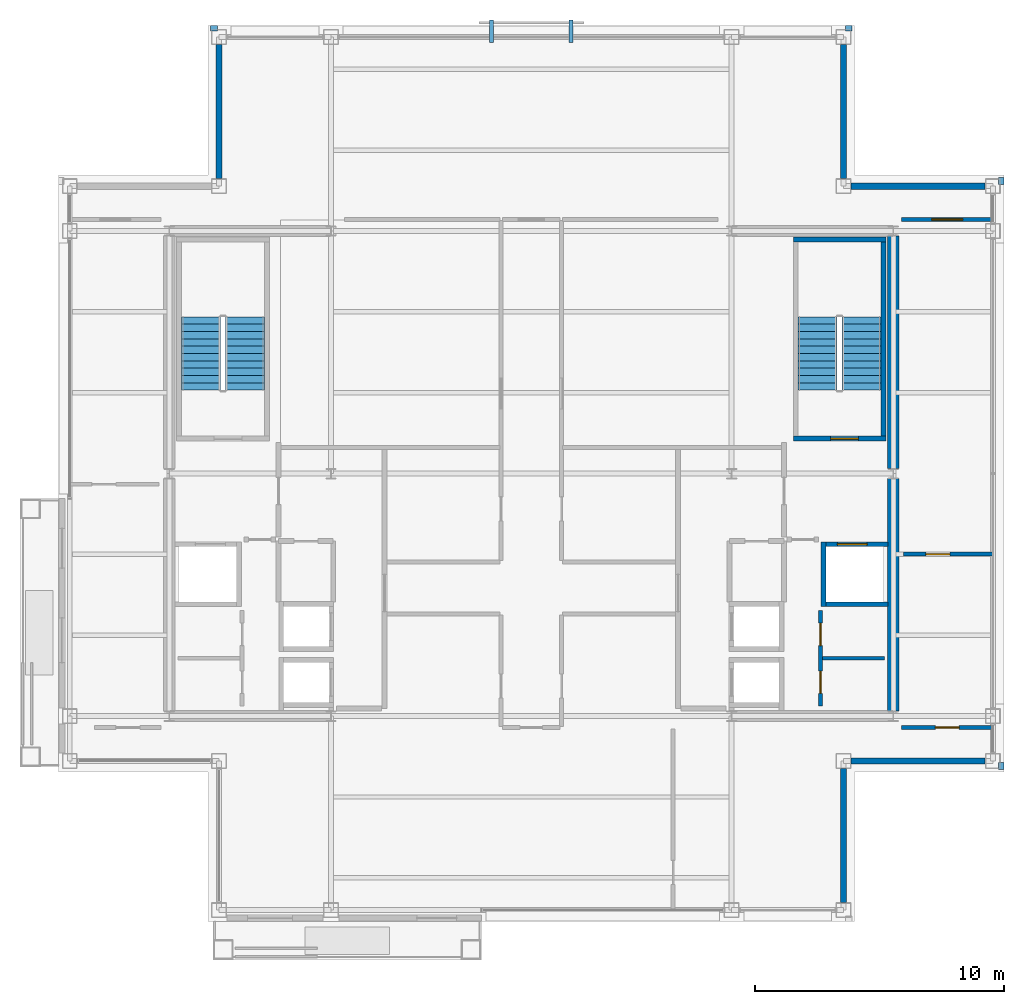
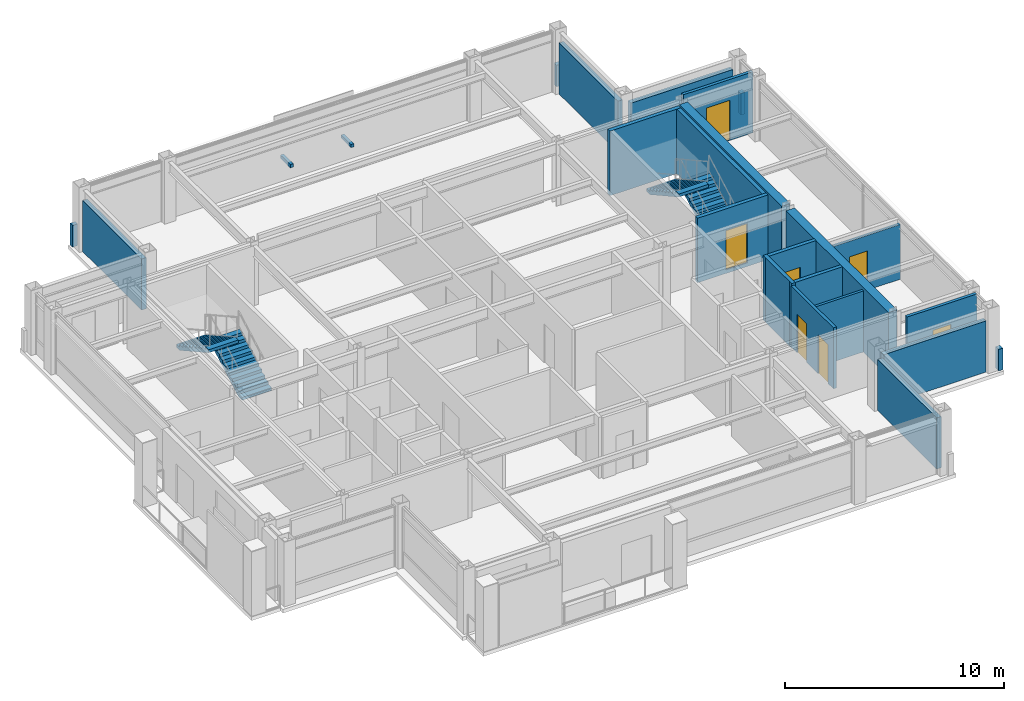
# One storey, part 22 of 24: 22 walls, 7 doors, 4 stair flights, 2 discrete accessories, 7 openings, 2 elements without a shape of their own.
"""IFC4 building model written with IfcOpenShell, lengths in metres."""

from ifc_helpers import new_model, si_unit, direction, frame, frame_2d, origin, origin_2d, place, context, subcontext, project, spatial, polyline, rectangle, outline, extrude, material, layer, layer_set, type_object, element, fill, aggregate, save


model = new_model("IFC4")

# Units and contexts
model_context = context("Model", 3, precision=1e-05, world=origin(), true_north=direction((0.0, 1.0)))
body_context = subcontext(model_context, "Body", "Model", "MODEL_VIEW")
ifc_project = project(units=[si_unit("LENGTHUNIT", "METRE"), si_unit("AREAUNIT", "SQUARE_METRE"), si_unit("VOLUMEUNIT", "CUBIC_METRE"), si_unit("PLANEANGLEUNIT", "RADIAN"), si_unit("MASSUNIT", "GRAM", prefix="KILO")], contexts=[model_context])

# Site, building, storey
site_placement = place(None, origin())
site = spatial("IfcSite", under=ifc_project, at=site_placement, CompositionType="ELEMENT")
building_placement = place(site_placement, origin())
building = spatial("IfcBuilding", under=site, at=building_placement, Name="Brelmoor Portico Tower", CompositionType="ELEMENT")
storey_placement = place(building_placement, frame((0.0, 0.0, 254.39990234375)))
storey = spatial("IfcBuildingStorey", under=building, at=storey_placement, Name="L67", CompositionType="ELEMENT", Elevation=254.39990234375)

# Walls
ifc_material_1 = material(Name="Concrete C50", Category="concrete")
ifc_layer_1 = layer(ifc_material_1, 0.449951171875)
ifc_layer_set_1 = layer_set([ifc_layer_1], Name="Concrete C50")
wall_type_1 = type_object("IfcWallType", Name="WL-CORE-450", PredefinedType="SHEAR", material=ifc_layer_set_1)
for number, where, z_axis, x_axis, name in (
    (1, (14.550048828125, -9.550048828125, -0.199951171875), (0.0, 0.0, 1.0), (0.0, 1.0, 0.0), "L67 EC Outer South Shear Wall"),
    (2, (14.550048828125, 0.199951171875, -0.199951171875), (0.0, 0.0, 1.0), (0.0, 1.0, 0.0), "L67 EC Outer North Shear Wall"),
):
    element("IfcWall", number, at=place(storey_placement, frame(where, z_axis=z_axis, x_axis=x_axis)), inside=storey, type_object=wall_type_1, Name=name, PredefinedType="SHEAR", context=body_context, shape_type="SweptSolid", body=[
        extrude(rectangle(XDim=9.35009765625, YDim=0.449951171875, at=frame_2d((4.675048828125, 0.0))), origin(), (0.0, 0.0, 1.0), 3.60009765625),
    ])
ifc_material_2 = material(Name="Precast Concrete C40 Insulated Facade Wall", Category="concrete")
ifc_layer_2 = layer(ifc_material_2, 0.25)
ifc_layer_set_2 = layer_set([ifc_layer_2], Name="Precast Concrete C40 Insulated Facade Wall")
wall_type_2 = type_object("IfcWallType", Name="WL-EXT-250", PredefinedType="STANDARD", material=ifc_layer_set_2)
for number, where, z_axis, x_axis, name in (
    (3, (12.860107421875, -11.550048828125, 0.0), (0.0, 0.0, 1.0), (1.0, 0.0, 0.0), "L67 Corner Notch Facade Wall NSEH1"),
    (4, (12.550048828125, -17.239990234375, 0.0), (0.0, 0.0, 1.0), (0.0, 1.0, 0.0), "L67 Corner Notch Facade Wall NSEV1"),
    (5, (-12.550048828125, 11.860107421875, 0.0), (0.0, 0.0, 1.0), (0.0, 1.0, 0.0), "L67 Corner Notch Facade Wall NNWV1"),
    (6, (12.860107421875, 11.550048828125, 0.0), (0.0, 0.0, 1.0), (1.0, 0.0, 0.0), "L67 Corner Notch Facade Wall NNEH1"),
    (7, (12.550048828125, 11.860107421875, 0.0), (0.0, 0.0, 1.0), (0.0, 1.0, 0.0), "L67 Corner Notch Facade Wall NNEV1"),
):
    element("IfcWall", number, at=place(storey_placement, frame(where, z_axis=z_axis, x_axis=x_axis)), inside=storey, type_object=wall_type_2, Name=name, PredefinedType="STANDARD", context=body_context, shape_type="SweptSolid", body=[
        extrude(rectangle(XDim=5.3798828125, YDim=0.25, at=frame_2d((2.68994140625, 0.0))), origin(), (0.0, 0.0, 1.0), 2.85009765625),
    ])
ifc_material_3 = material(Name="Concrete C40 Parapet Upstand", Category="concrete")
ifc_layer_3 = layer(ifc_material_3, 0.219970703125)
ifc_layer_set_3 = layer_set([ifc_layer_3], Name="Concrete C40 Parapet Upstand")
wall_type_3 = type_object("IfcWallType", Name="WL-PARAPET-220", PredefinedType="PARAPET", material=ifc_layer_set_3)
for number, where, z_axis, x_axis, name in (
    (8, (18.889892578125, -11.889892578125, 0.0), (0.0, 0.0, 1.0), (0.0, 1.0, 0.0), "L67 Chamfer Vertex Parapet Pier SE2"),
    (9, (-12.889892578125, 17.889892578125, 0.0), (0.0, 0.0, 1.0), (1.0, 0.0, 0.0), "L67 Chamfer Vertex Parapet Pier NW1"),
    (10, (12.6201171875, 17.889892578125, 0.0), (0.0, 0.0, 1.0), (1.0, 0.0, 0.0), "L67 Chamfer Vertex Parapet Pier NE1"),
    (11, (18.889892578125, 11.6201171875, 0.0), (0.0, 0.0, 1.0), (0.0, 1.0, 0.0), "L67 Chamfer Vertex Parapet Pier NE2"),
):
    element("IfcWall", number, at=place(storey_placement, frame(where, z_axis=z_axis, x_axis=x_axis)), inside=storey, type_object=wall_type_3, Name=name, PredefinedType="PARAPET", context=body_context, shape_type="SweptSolid", body=[
        extrude(rectangle(XDim=0.269775390625, YDim=0.219970703125, at=frame_2d((0.134765625, 0.0))), origin(), (0.0, 0.0, 1.0), 1.2001953125),
    ])
ifc_material_4 = material(Name="Insulated Stud Suite Partition", Category="gypsum")
ifc_layer_4 = layer(ifc_material_4, 0.139892578125)
ifc_layer_set_4 = layer_set([ifc_layer_4], Name="Insulated Stud Suite Partition")
wall_type_4 = type_object("IfcWallType", Name="WL-PART-140", PredefinedType="PARTITIONING", material=ifc_layer_set_4)
wall_1_placement = place(storey_placement, frame((11.699951171875, -7.425048828125, 0.0), z_axis=(0.0, 0.0, 1.0), x_axis=(1.0, 0.0, 0.0)))
element("IfcWall", 12, at=wall_1_placement, inside=storey, type_object=wall_type_4, Name="L67 E Core WC Divider 1", PredefinedType="PARTITIONING", context=body_context, shape_type="SweptSolid", body=[
    extrude(rectangle(XDim=2.5, YDim=0.139892578125, at=frame_2d((1.25, 0.0))), origin(), (0.0, 0.0, 1.0), 3.400146484375),
])

# Wall, openings, doors
ifc_material_5 = material(Name="Twin-Frame Acoustic Partition", Category="gypsum")
ifc_layer_5 = layer(ifc_material_5, 0.159912109375)
ifc_layer_set_5 = layer_set([ifc_layer_5], Name="Twin-Frame Acoustic Partition")
wall_type_5 = type_object("IfcWallType", Name="WL-PART-160", PredefinedType="PARTITIONING", material=ifc_layer_set_5)
wall_2_placement = place(storey_placement, frame((11.6201171875, -9.35009765625, 0.0), z_axis=(0.0, 0.0, 1.0), x_axis=(0.0, 1.0, 0.0)))
wall_2 = element("IfcWall", 13, at=wall_2_placement, inside=storey, type_object=wall_type_5, Name="L67 E Core Service Front Wall", PredefinedType="PARTITIONING", context=body_context, shape_type="SweptSolid", body=[
    extrude(rectangle(XDim=3.85009765625, YDim=0.159912109375, at=frame_2d((1.925048828125, 0.0))), origin(), (0.0, 0.0, 1.0), 3.400146484375),
])
opening_1_placement = place(wall_2_placement, frame((0.512451171875, 0.0, 0.0)))
opening_1 = element("IfcOpeningElement", 14, at=opening_1_placement, cuts=wall_2, Name="Opening D-IN1", PredefinedType="OPENING", context=body_context, shape_type="SweptSolid", body=[
    extrude(rectangle(XDim=0.89990234375, YDim=2.14990234375, at=frame_2d((0.449951171875, 1.074951171875))), frame((0.0, 0.08984375, 0.0), z_axis=(0.0, -1.0, 0.0), x_axis=(1.0, 0.0, 0.0)), (0.0, 0.0, 1.0), 0.179931640625),
])
opening_2_placement = place(wall_2_placement, frame((2.4375, 0.0, 0.0)))
opening_2 = element("IfcOpeningElement", 15, at=opening_2_placement, cuts=wall_2, Name="Opening D-IN1", PredefinedType="OPENING", context=body_context, shape_type="SweptSolid", body=[
    extrude(rectangle(XDim=0.89990234375, YDim=2.14990234375, at=frame_2d((0.449951171875, 1.074951171875))), frame((0.0, 0.08984375, 0.0), z_axis=(0.0, -1.0, 0.0), x_axis=(1.0, 0.0, 0.0)), (0.0, 0.0, 1.0), 0.179931640625),
])
ifc_material_6 = material(Name="Lacquered Timber Suite Door", Category="wood")
door_type_1 = type_object("IfcDoorType", Name="DR-INT-900", OperationType="NOTDEFINED", PredefinedType="DOOR", material=ifc_material_6)
door_1_placement = place(opening_1_placement, origin())
door_1 = element("IfcDoor", 16, at=door_1_placement, inside=storey, type_object=door_type_1, Name="D-2752 L67 E Male WC Door", OperationType="SINGLE_SWING_LEFT", OverallHeight=2.14990234375, OverallWidth=0.89990234375, PredefinedType="DOOR", context=body_context, shape_type="SweptSolid", body=[
    extrude(rectangle(XDim=0.89990234375, YDim=2.14990234375, at=frame_2d((0.449951171875, 1.074951171875))), frame((0.0, 0.02490234375, 0.0), z_axis=(0.0, -1.0, 0.0), x_axis=(1.0, 0.0, 0.0)), (0.0, 0.0, 1.0), 0.050048828125),
])
fill(opening_1, door_1)
door_2_placement = place(opening_2_placement, origin())
door_2 = element("IfcDoor", 17, at=door_2_placement, inside=storey, type_object=door_type_1, Name="D-2753 L67 E Female WC Door", OperationType="SINGLE_SWING_RIGHT", OverallHeight=2.14990234375, OverallWidth=0.89990234375, PredefinedType="DOOR", context=body_context, shape_type="SweptSolid", body=[
    extrude(rectangle(XDim=0.89990234375, YDim=2.14990234375, at=frame_2d((0.449951171875, 1.074951171875))), frame((0.0, 0.02490234375, 0.0), z_axis=(0.0, -1.0, 0.0), x_axis=(1.0, 0.0, 0.0)), (0.0, 0.0, 1.0), 0.050048828125),
])
fill(opening_2, door_2)

# Wall, opening, door
wall_3_placement = place(storey_placement, frame((14.8798828125, 10.2099609375, 0.0), z_axis=(0.0, 0.0, 1.0), x_axis=(1.0, 0.0, 0.0)))
wall_3 = element("IfcWall", 18, at=wall_3_placement, inside=storey, type_object=wall_type_5, Name="L67 North Wing Suite Wall ER", PredefinedType="PARTITIONING", context=body_context, shape_type="SweptSolid", body=[
    extrude(rectangle(XDim=3.68017578125, YDim=0.159912109375, at=frame_2d((1.840087890625, 0.0))), origin(), (0.0, 0.0, 1.0), 3.400146484375),
])
opening_3_placement = place(wall_3_placement, frame((1.219970703125, 0.0, 0.0)))
opening_3 = element("IfcOpeningElement", 19, at=opening_3_placement, cuts=wall_3, Name="Opening D-SU1", PredefinedType="OPENING", context=body_context, shape_type="SweptSolid", body=[
    extrude(rectangle(XDim=1.239990234375, YDim=2.239990234375, at=frame_2d((0.6201171875, 1.1201171875))), frame((0.0, 0.08984375, 0.0), z_axis=(0.0, -1.0, 0.0), x_axis=(1.0, 0.0, 0.0)), (0.0, 0.0, 1.0), 0.179931640625),
])
ifc_material_7 = material(Name="Glazed Timber Executive Suite Door", Category="wood")
door_type_2 = type_object("IfcDoorType", Name="DR-SUITE-1200", OperationType="NOTDEFINED", PredefinedType="DOOR", material=ifc_material_7)
door_3_placement = place(opening_3_placement, origin())
door_3 = element("IfcDoor", 20, at=door_3_placement, inside=storey, type_object=door_type_2, Name="D-2765 L67 ER Wing Suite Connecting Door", OperationType="SINGLE_SWING_LEFT", OverallHeight=2.239990234375, OverallWidth=1.239990234375, PredefinedType="DOOR", context=body_context, shape_type="SweptSolid", body=[
    extrude(rectangle(XDim=1.239990234375, YDim=2.239990234375, at=frame_2d((0.6201171875, 1.1201171875))), frame((0.0, 0.02490234375, 0.0), z_axis=(0.0, -1.0, 0.0), x_axis=(1.0, 0.0, 0.0)), (0.0, 0.0, 1.0), 0.050048828125),
])
fill(opening_3, door_3)

wall_4_placement = place(storey_placement, frame((14.8798828125, -10.2099609375, 0.0), z_axis=(0.0, 0.0, 1.0), x_axis=(1.0, 0.0, 0.0)))
wall_4 = element("IfcWall", 21, at=wall_4_placement, inside=storey, type_object=wall_type_5, Name="L67 South Wing Closure ER", PredefinedType="PARTITIONING", context=body_context, shape_type="SweptSolid", body=[
    extrude(rectangle(XDim=3.68017578125, YDim=0.159912109375, at=frame_2d((1.840087890625, 0.0))), origin(), (0.0, 0.0, 1.0), 3.400146484375),
])
opening_4_placement = place(wall_4_placement, frame((1.360107421875, 0.0, 0.0)))
opening_4 = element("IfcOpeningElement", 22, at=opening_4_placement, cuts=wall_4, Name="Opening D-IN2", PredefinedType="OPENING", context=body_context, shape_type="SweptSolid", body=[
    extrude(rectangle(XDim=0.9599609375, YDim=2.179931640625, at=frame_2d((0.47998046875, 1.08984375))), frame((0.0, 0.08984375, 0.0), z_axis=(0.0, -1.0, 0.0), x_axis=(1.0, 0.0, 0.0)), (0.0, 0.0, 1.0), 0.179931640625),
])
door_type_3 = type_object("IfcDoorType", Name="DR-INT-950", OperationType="NOTDEFINED", PredefinedType="DOOR", material=ifc_material_6)
door_4_placement = place(opening_4_placement, origin())
door_4 = element("IfcDoor", 23, at=door_4_placement, inside=storey, type_object=door_type_3, Name="D-2771 L67 ER Wing South Suite Door", OperationType="SINGLE_SWING_LEFT", OverallHeight=2.179931640625, OverallWidth=0.9599609375, PredefinedType="DOOR", context=body_context, shape_type="SweptSolid", body=[
    extrude(rectangle(XDim=0.9599609375, YDim=2.179931640625, at=frame_2d((0.47998046875, 1.08984375))), frame((0.0, 0.02490234375, 0.0), z_axis=(0.0, -1.0, 0.0), x_axis=(1.0, 0.0, 0.0)), (0.0, 0.0, 1.0), 0.050048828125),
])
fill(opening_4, door_4)

wall_5_placement = place(storey_placement, frame((14.9599609375, -3.24169921875, 0.0), z_axis=(0.0, 0.0, 1.0), x_axis=(1.0, 0.0, 0.0)))
wall_5 = element("IfcWall", 24, at=wall_5_placement, inside=storey, type_object=wall_type_5, Name="L67 E Wing Partition 1", PredefinedType="PARTITIONING", context=body_context, shape_type="SweptSolid", body=[
    extrude(rectangle(XDim=3.60009765625, YDim=0.159912109375, at=frame_2d((1.800048828125, 0.0))), origin(), (0.0, 0.0, 1.0), 3.050048828125),
])
opening_5_placement = place(wall_5_placement, frame((0.89990234375, 0.0, 0.0)))
opening_5 = element("IfcOpeningElement", 25, at=opening_5_placement, cuts=wall_5, Name="Opening D-IN2", PredefinedType="OPENING", context=body_context, shape_type="SweptSolid", body=[
    extrude(rectangle(XDim=0.9599609375, YDim=2.179931640625, at=frame_2d((0.47998046875, 1.08984375))), frame((0.0, 0.08984375, 0.0), z_axis=(0.0, -1.0, 0.0), x_axis=(1.0, 0.0, 0.0)), (0.0, 0.0, 1.0), 0.179931640625),
])
door_5_placement = place(opening_5_placement, origin())
door_5 = element("IfcDoor", 26, at=door_5_placement, inside=storey, type_object=door_type_3, Name="D-2775 L67 E Wing Suite Connecting Door 1", OperationType="SINGLE_SWING_LEFT", OverallHeight=2.179931640625, OverallWidth=0.9599609375, PredefinedType="DOOR", context=body_context, shape_type="SweptSolid", body=[
    extrude(rectangle(XDim=0.9599609375, YDim=2.179931640625, at=frame_2d((0.47998046875, 1.08984375))), frame((0.0, 0.02490234375, 0.0), z_axis=(0.0, -1.0, 0.0), x_axis=(1.0, 0.0, 0.0)), (0.0, 0.0, 1.0), 0.050048828125),
])
fill(opening_5, door_5)

ifc_material_8 = material(Name="Precast Concrete C40", Category="concrete")
ifc_layer_6 = layer(ifc_material_8, 0.18994140625)
ifc_layer_set_6 = layer_set([ifc_layer_6], Name="Precast Concrete C40")
wall_type_6 = type_object("IfcWallType", Name="WL-SHAFT-180", PredefinedType="SOLIDWALL", material=ifc_layer_set_6)
wall_6_placement = place(storey_placement, frame((11.64990234375, -2.844970703125, -0.199951171875), z_axis=(0.0, 0.0, 1.0), x_axis=(1.0, 0.0, 0.0)))
wall_6 = element("IfcWall", 27, at=wall_6_placement, inside=storey, type_object=wall_type_6, Name="L67 Lift FF2 Hoistway Front Wall", PredefinedType="SOLIDWALL", context=body_context, shape_type="SweptSolid", body=[
    extrude(rectangle(XDim=2.68017578125, YDim=0.18994140625, at=frame_2d((1.340087890625, 0.0))), origin(), (0.0, 0.0, 1.0), 3.60009765625),
])
opening_6_placement = place(wall_6_placement, frame((0.64990234375, 0.0, 0.199951171875)))
opening_6 = element("IfcOpeningElement", 28, at=opening_6_placement, cuts=wall_6, Name="Opening LD-02", PredefinedType="OPENING", context=body_context, shape_type="SweptSolid", body=[
    extrude(rectangle(XDim=1.199951171875, YDim=2.199951171875, at=frame_2d((0.60009765625, 1.10009765625))), frame((0.0, 0.10498046875, 0.0), z_axis=(0.0, -1.0, 0.0), x_axis=(1.0, 0.0, 0.0)), (0.0, 0.0, 1.0), 0.2099609375),
])
ifc_material_9 = material(Name="Brushed Stainless Steel Firefighting Lift Door", Category="steel")
door_type_4 = type_object("IfcDoorType", Name="DR-LIFT-1200", OperationType="NOTDEFINED", PredefinedType="DOOR", material=ifc_material_9)
door_6_placement = place(opening_6_placement, origin())
door_6 = element("IfcDoor", 29, at=door_6_placement, inside=storey, type_object=door_type_4, Name="D-2778 L67 Lift FF2 Sliding Landing Door", OperationType="SLIDING_TO_LEFT", OverallHeight=2.199951171875, OverallWidth=1.199951171875, PredefinedType="DOOR", context=body_context, shape_type="SweptSolid", body=[
    extrude(rectangle(XDim=1.199951171875, YDim=2.199951171875, at=frame_2d((0.60009765625, 1.10009765625))), frame((0.0, 0.02490234375, 0.0), z_axis=(0.0, -1.0, 0.0), x_axis=(1.0, 0.0, 0.0)), (0.0, 0.0, 1.0), 0.050048828125),
])
fill(opening_6, door_6)

# Walls
wall_7_placement = place(storey_placement, frame((11.64990234375, -5.2548828125, -0.199951171875), z_axis=(0.0, 0.0, 1.0), x_axis=(1.0, 0.0, 0.0)))
element("IfcWall", 30, at=wall_7_placement, inside=storey, type_object=wall_type_6, Name="L67 Firefighting Lift FF2 South Wall", PredefinedType="SOLIDWALL", context=body_context, shape_type="SweptSolid", body=[
    extrude(rectangle(XDim=2.68017578125, YDim=0.18994140625, at=frame_2d((1.340087890625, 0.0))), origin(), (0.0, 0.0, 1.0), 3.60009765625),
])
wall_8_placement = place(storey_placement, frame((11.7451171875, -5.35009765625, -0.199951171875), z_axis=(0.0, 0.0, 1.0), x_axis=(0.0, 1.0, 0.0)))
element("IfcWall", 31, at=wall_8_placement, inside=storey, type_object=wall_type_6, Name="L67 Firefighting Lift FF2 Inner Wall", PredefinedType="SOLIDWALL", context=body_context, shape_type="SweptSolid", body=[
    extrude(rectangle(XDim=2.60009765625, YDim=0.18994140625, at=frame_2d((1.300048828125, 0.0))), origin(), (0.0, 0.0, 1.0), 3.60009765625),
])
ifc_material_10 = material(Name="Concrete C40", Category="concrete")
ifc_layer_7 = layer(ifc_material_10, 0.199951171875)
ifc_layer_set_7 = layer_set([ifc_layer_7], Name="Concrete C40")
wall_type_7 = type_object("IfcWallType", Name="WL-SHAFT-RC200", PredefinedType="SOLIDWALL", material=ifc_layer_set_7)
wall_9_placement = place(storey_placement, frame((14.14990234375, 1.5, -0.199951171875), z_axis=(0.0, 0.0, 1.0), x_axis=(0.0, 1.0, 0.0)))
element("IfcWall", 32, at=wall_9_placement, inside=storey, type_object=wall_type_7, Name="L67 ST-E Structural Stair Wall Outer", PredefinedType="SOLIDWALL", context=body_context, shape_type="SweptSolid", body=[
    extrude(rectangle(XDim=7.800048828125, YDim=0.199951171875, at=frame_2d((3.89990234375, 0.0))), origin(), (0.0, 0.0, 1.0), 3.60009765625),
])

# Wall, opening, door
wall_10_placement = place(storey_placement, frame((10.530029296875, 1.39990234375, -0.199951171875), z_axis=(0.0, 0.0, 1.0), x_axis=(1.0, 0.0, 0.0)))
wall_10 = element("IfcWall", 33, at=wall_10_placement, inside=storey, type_object=wall_type_7, Name="L67 ST-E Structural Stair Wall S", PredefinedType="SOLIDWALL", context=body_context, shape_type="SweptSolid", body=[
    extrude(rectangle(XDim=3.719970703125, YDim=0.199951171875, at=frame_2d((1.85986328125, 0.0))), origin(), (0.0, 0.0, 1.0), 3.60009765625),
])
opening_7_placement = place(wall_10_placement, frame((1.5, 0.0, 0.199951171875)))
opening_7 = element("IfcOpeningElement", 34, at=opening_7_placement, cuts=wall_10, Name="Opening D-ST1", PredefinedType="OPENING", context=body_context, shape_type="SweptSolid", body=[
    extrude(rectangle(XDim=1.1201171875, YDim=2.179931640625, at=frame_2d((0.56005859375, 1.08984375))), frame((0.0, 0.10986328125, 0.0), z_axis=(0.0, -1.0, 0.0), x_axis=(1.0, 0.0, 0.0)), (0.0, 0.0, 1.0), 0.219970703125),
])
ifc_material_11 = material(Name="Painted Galvanised Steel Fire Door", Category="steel")
door_type_5 = type_object("IfcDoorType", Name="DR-STAIR-1100", OperationType="NOTDEFINED", PredefinedType="DOOR", material=ifc_material_11)
door_7_placement = place(opening_7_placement, origin())
door_7 = element("IfcDoor", 35, at=door_7_placement, inside=storey, type_object=door_type_5, Name="D-2769 L67 ST-E Protected Exit Stair Door", OperationType="SINGLE_SWING_RIGHT", OverallHeight=2.179931640625, OverallWidth=1.1201171875, PredefinedType="DOOR", context=body_context, shape_type="SweptSolid", body=[
    extrude(rectangle(XDim=1.1201171875, YDim=2.179931640625, at=frame_2d((0.56005859375, 1.08984375))), frame((0.0, 0.02490234375, 0.0), z_axis=(0.0, -1.0, 0.0), x_axis=(1.0, 0.0, 0.0)), (0.0, 0.0, 1.0), 0.050048828125),
])
fill(opening_7, door_7)

# Wall
wall_11_placement = place(storey_placement, frame((10.530029296875, 9.39990234375, -0.199951171875), z_axis=(0.0, 0.0, 1.0), x_axis=(1.0, 0.0, 0.0)))
element("IfcWall", 36, at=wall_11_placement, inside=storey, type_object=wall_type_7, Name="L67 ST-E Structural Stair Wall N", PredefinedType="SOLIDWALL", context=body_context, shape_type="SweptSolid", body=[
    extrude(rectangle(XDim=3.719970703125, YDim=0.199951171875, at=frame_2d((1.85986328125, 0.0))), origin(), (0.0, 0.0, 1.0), 3.60009765625),
])

# Stair, stair flights
stair_type_1 = type_object("IfcStairType", Name="ST-CORE-W", PredefinedType="HALF_TURN_STAIR", material=ifc_material_10)
stair_1_placement = place(storey_placement, origin())
stair_1 = element("IfcStair", 37, at=stair_1_placement, inside=storey, type_object=stair_type_1, Name="L67 Protected Core Exit Stair ST-W", PredefinedType="HALF_TURN_STAIR")
stair_flight_type = type_object("IfcStairFlightType", Name="SF-CORE-1850", PredefinedType="STRAIGHT", material=ifc_material_10)
stair_flight_1_placement = place(storey_placement, frame((-11.510009765625, 3.35009765625, 0.0), z_axis=(0.0, 0.0, 1.0), x_axis=(0.0, 1.0, 0.0)))
stair_flight_1 = element("IfcStairFlight", 38, at=stair_flight_1_placement, type_object=stair_flight_type, Name="ST-W flight 1", NumberOfRisers=11, NumberOfTreads=10, PredefinedType="STRAIGHT", RiserHeight=0.163636364, TreadLength=0.295, context=body_context, shape_type="SweptSolid", body=[
    extrude(outline(polyline([(0.0, 0.0), (0.0, 0.16357421875), (0.294921875, 0.16357421875), (0.294921875, 0.327392578125), (0.590087890625, 0.327392578125), (0.590087890625, 0.490966796875), (0.885009765625, 0.490966796875), (0.885009765625, 0.654541015625), (1.179931640625, 0.654541015625), (1.179931640625, 0.818115234375), (1.47509765625, 0.818115234375), (1.47509765625, 0.98193359375), (1.77001953125, 0.98193359375), (1.77001953125, 1.1455078125), (2.06494140625, 1.1455078125), (2.06494140625, 1.30908203125), (2.360107421875, 1.30908203125), (2.360107421875, 1.47265625), (2.655029296875, 1.47265625), (2.655029296875, 1.636474609375), (2.949951171875, 1.636474609375), (2.949951171875, 1.800048828125), (2.949951171875, 1.46484375), (0.30908203125, 0.0), (0.0, 0.0)])), frame((0.0, 0.780029296875, 0.0), z_axis=(0.0, -1.0, 0.0), x_axis=(1.0, 0.0, 0.0)), (0.0, 0.0, 1.0), 1.56005859375),
])
stair_flight_2_placement = place(storey_placement, frame((-13.27001953125, 6.300048828125, 1.800048828125), z_axis=(0.0, 0.0, 1.0), x_axis=(0.0, -1.0, 0.0)))
stair_flight_2 = element("IfcStairFlight", 39, at=stair_flight_2_placement, type_object=stair_flight_type, Name="ST-W flight 2", NumberOfRisers=11, NumberOfTreads=10, PredefinedType="STRAIGHT", RiserHeight=0.163636364, TreadLength=0.295, context=body_context, shape_type="SweptSolid", body=[
    extrude(outline(polyline([(0.0, 0.0), (0.0, 0.16357421875), (0.294921875, 0.16357421875), (0.294921875, 0.327392578125), (0.590087890625, 0.327392578125), (0.590087890625, 0.490966796875), (0.885009765625, 0.490966796875), (0.885009765625, 0.654541015625), (1.179931640625, 0.654541015625), (1.179931640625, 0.818115234375), (1.47509765625, 0.818115234375), (1.47509765625, 0.98193359375), (1.77001953125, 0.98193359375), (1.77001953125, 1.1455078125), (2.06494140625, 1.1455078125), (2.06494140625, 1.30908203125), (2.360107421875, 1.30908203125), (2.360107421875, 1.47265625), (2.655029296875, 1.47265625), (2.655029296875, 1.636474609375), (2.949951171875, 1.636474609375), (2.949951171875, 1.800048828125), (2.949951171875, 1.46484375), (0.30908203125, 0.0), (0.0, 0.0)])), frame((0.0, 0.780029296875, 0.0), z_axis=(0.0, -1.0, 0.0), x_axis=(1.0, 0.0, 0.0)), (0.0, 0.0, 1.0), 1.56005859375),
])
aggregate(stair_1, [stair_flight_1, stair_flight_2])

stair_type_2 = type_object("IfcStairType", Name="ST-CORE-E", PredefinedType="HALF_TURN_STAIR", material=ifc_material_10)
stair_2_placement = place(storey_placement, origin())
stair_2 = element("IfcStair", 40, at=stair_2_placement, inside=storey, type_object=stair_type_2, Name="L67 Protected Core Exit Stair ST-E", PredefinedType="HALF_TURN_STAIR")
stair_flight_3_placement = place(storey_placement, frame((13.27001953125, 3.35009765625, 0.0), z_axis=(0.0, 0.0, 1.0), x_axis=(0.0, 1.0, 0.0)))
stair_flight_3 = element("IfcStairFlight", 41, at=stair_flight_3_placement, type_object=stair_flight_type, Name="ST-E flight 1", NumberOfRisers=11, NumberOfTreads=10, PredefinedType="STRAIGHT", RiserHeight=0.163636364, TreadLength=0.295, context=body_context, shape_type="SweptSolid", body=[
    extrude(outline(polyline([(0.0, 0.0), (0.0, 0.16357421875), (0.294921875, 0.16357421875), (0.294921875, 0.327392578125), (0.590087890625, 0.327392578125), (0.590087890625, 0.490966796875), (0.885009765625, 0.490966796875), (0.885009765625, 0.654541015625), (1.179931640625, 0.654541015625), (1.179931640625, 0.818115234375), (1.47509765625, 0.818115234375), (1.47509765625, 0.98193359375), (1.77001953125, 0.98193359375), (1.77001953125, 1.1455078125), (2.06494140625, 1.1455078125), (2.06494140625, 1.30908203125), (2.360107421875, 1.30908203125), (2.360107421875, 1.47265625), (2.655029296875, 1.47265625), (2.655029296875, 1.636474609375), (2.949951171875, 1.636474609375), (2.949951171875, 1.800048828125), (2.949951171875, 1.46484375), (0.30908203125, 0.0), (0.0, 0.0)])), frame((0.0, 0.780029296875, 0.0), z_axis=(0.0, -1.0, 0.0), x_axis=(1.0, 0.0, 0.0)), (0.0, 0.0, 1.0), 1.56005859375),
])
stair_flight_4_placement = place(storey_placement, frame((11.510009765625, 6.300048828125, 1.800048828125), z_axis=(0.0, 0.0, 1.0), x_axis=(0.0, -1.0, 0.0)))
stair_flight_4 = element("IfcStairFlight", 42, at=stair_flight_4_placement, type_object=stair_flight_type, Name="ST-E flight 2", NumberOfRisers=11, NumberOfTreads=10, PredefinedType="STRAIGHT", RiserHeight=0.163636364, TreadLength=0.295, context=body_context, shape_type="SweptSolid", body=[
    extrude(outline(polyline([(0.0, 0.0), (0.0, 0.16357421875), (0.294921875, 0.16357421875), (0.294921875, 0.327392578125), (0.590087890625, 0.327392578125), (0.590087890625, 0.490966796875), (0.885009765625, 0.490966796875), (0.885009765625, 0.654541015625), (1.179931640625, 0.654541015625), (1.179931640625, 0.818115234375), (1.47509765625, 0.818115234375), (1.47509765625, 0.98193359375), (1.77001953125, 0.98193359375), (1.77001953125, 1.1455078125), (2.06494140625, 1.1455078125), (2.06494140625, 1.30908203125), (2.360107421875, 1.30908203125), (2.360107421875, 1.47265625), (2.655029296875, 1.47265625), (2.655029296875, 1.636474609375), (2.949951171875, 1.636474609375), (2.949951171875, 1.800048828125), (2.949951171875, 1.46484375), (0.30908203125, 0.0), (0.0, 0.0)])), frame((0.0, 0.780029296875, 0.0), z_axis=(0.0, -1.0, 0.0), x_axis=(1.0, 0.0, 0.0)), (0.0, 0.0, 1.0), 1.56005859375),
])
aggregate(stair_2, [stair_flight_3, stair_flight_4])

# Discrete accessories
ifc_material_12 = material(Name="Galvanised Steel Q355B", Category="steel")
discrete_accessory_type = type_object("IfcDiscreteAccessoryType", Name="DA-SCREEN-BRACKET", PredefinedType="BRACKET", material=ifc_material_12)
for number, where, z_axis, x_axis, name in (
    (43, (-1.60009765625, 17.780029296875, 0.76025390625), (0.0, 0.0, 1.0), (1.0, 0.0, 0.0), "L67 Solar Screen Bracket N1A"),
    (44, (1.60009765625, 17.780029296875, 0.76025390625), (0.0, 0.0, 1.0), (1.0, 0.0, 0.0), "L67 Solar Screen Bracket N1B"),
):
    element("IfcDiscreteAccessory", number, at=place(storey_placement, frame(where, z_axis=z_axis, x_axis=x_axis)), inside=storey, type_object=discrete_accessory_type, Name=name, PredefinedType="BRACKET", context=body_context, shape_type="SweptSolid", body=[
        extrude(rectangle(XDim=0.159912109375, YDim=0.89990234375, at=origin_2d()), origin(), (0.0, 0.0, 1.0), 0.179931640625),
    ])

save(model, "model.ifc")
